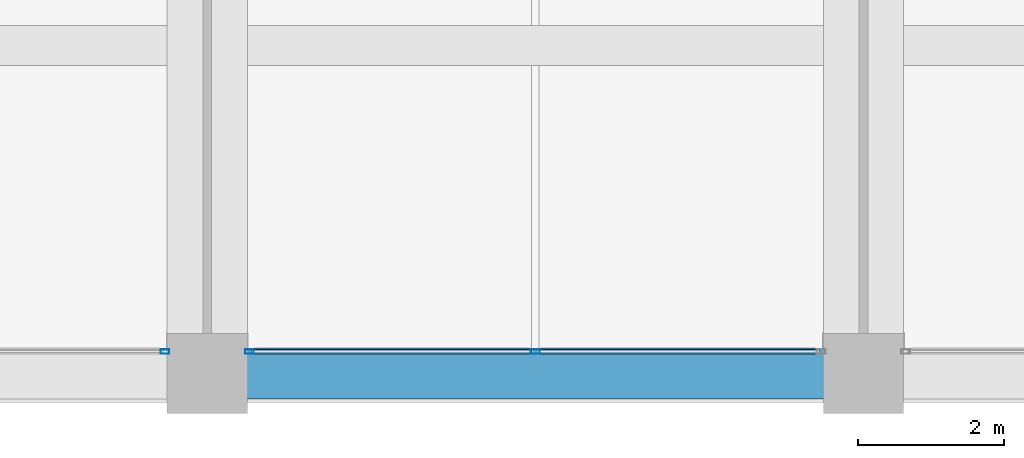
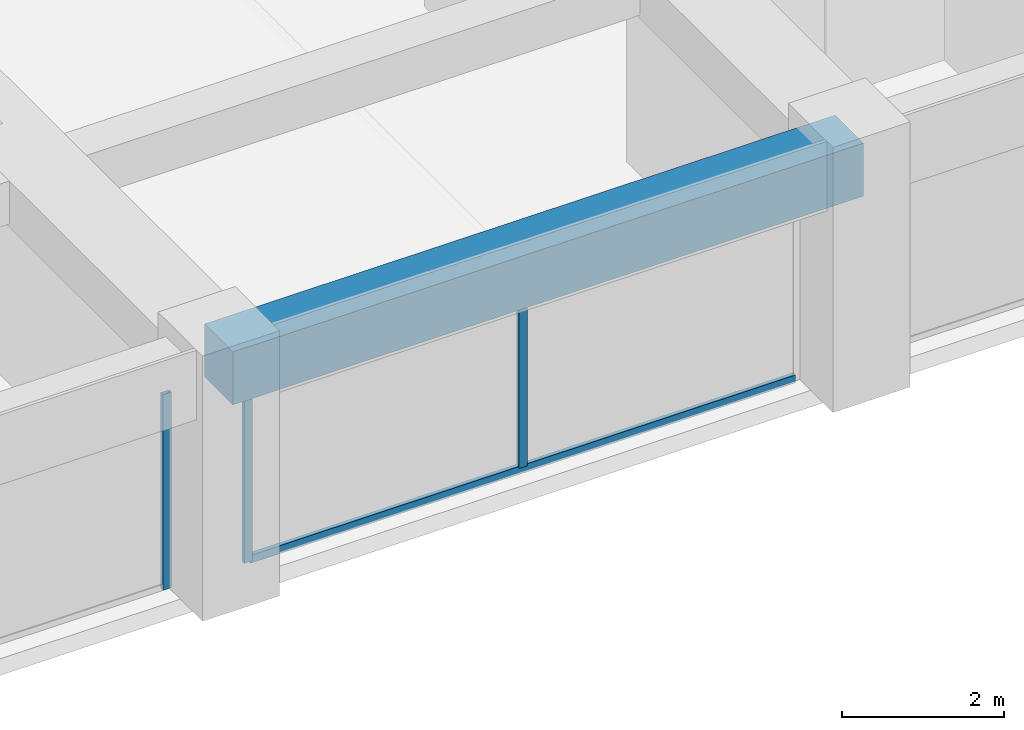
# One storey, part 9 of 44: 4 members, 1 beam, 2 elements without a shape of their own.
"""IFC4 building model written with IfcOpenShell, lengths in metres."""

from ifc_helpers import new_model, si_unit, direction, frame, origin, origin_2d, place, context, subcontext, project, spatial, rectangle, hollow_rectangle, extrude, material, material_profile, profile_set, type_object, element, aggregate, save


model = new_model("IFC4")

# Units and contexts
model_context = context("Model", 3, precision=1e-05, world=origin(), true_north=direction((0.0, 1.0)))
body_context = subcontext(model_context, "Body", "Model", "MODEL_VIEW")
ifc_project = project(units=[si_unit("LENGTHUNIT", "METRE"), si_unit("AREAUNIT", "SQUARE_METRE"), si_unit("VOLUMEUNIT", "CUBIC_METRE"), si_unit("PLANEANGLEUNIT", "RADIAN"), si_unit("MASSUNIT", "GRAM", prefix="KILO")], contexts=[model_context])

# Site, building, storey
site_placement = place(None, origin())
site = spatial("IfcSite", under=ifc_project, at=site_placement, CompositionType="ELEMENT")
building_placement = place(site_placement, origin())
building = spatial("IfcBuilding", under=site, at=building_placement, Name="Zorevar Civic Tower", CompositionType="ELEMENT")
storey_placement = place(building_placement, frame((0.0, 0.0, 259.39990234375)))
storey = spatial("IfcBuildingStorey", under=building, at=storey_placement, Name="L63", CompositionType="ELEMENT", Elevation=259.39990234375)

# Curtain wall, member
ifc_material_1 = material(Name="Dark grey solar-control glass in black aluminium frame", Category="aluminium")
curtain_wall_type = type_object("IfcCurtainWallType", Name="Curtain wall CW5 top zone", PredefinedType="NOTDEFINED", material=ifc_material_1)
curtain_wall_1_placement = place(storey_placement, origin())
curtain_wall_1 = element("IfcCurtainWall", 1, at=curtain_wall_1_placement, inside=storey, type_object=curtain_wall_type, Name="CW5 L63", PredefinedType="NOTDEFINED")
ifc_material_2 = material(Name="Aluminium, black anodised", Category="aluminium")
ifc_material_profile_1 = material_profile(ifc_material_2, hollow_rectangle(XDim=0.06005859375, YDim=0.1201171875, WallThickness=0.0029296875, at=origin_2d()), Name="AL 120x60x3")
ifc_profile_set_1 = profile_set([ifc_material_profile_1], Name="Aluminium, black anodised")
member_type_1 = type_object("IfcMemberType", Name="CW5 mullion AL 120x60x3", PredefinedType="MULLION", material=ifc_profile_set_1)
member_1_placement = place(storey_placement, frame((26.419921875, 0.300048828125, 0.0), z_axis=(0.0, 0.0, 1.0), x_axis=(0.0, 1.0, 0.0)))
member_1 = element("IfcMember", 2, at=member_1_placement, type_object=member_type_1, Name="CW5 mullion 3", PredefinedType="MULLION", context=body_context, shape_type="SweptSolid", body=[
    extrude(hollow_rectangle(XDim=0.06005859375, YDim=0.1201171875, WallThickness=0.0029296875, at=origin_2d()), origin(), (0.0, 0.0, 1.0), 2.9501953125),
])
aggregate(curtain_wall_1, [member_1])

# Curtain wall, members
curtain_wall_2_placement = place(storey_placement, origin())
curtain_wall_2 = element("IfcCurtainWall", 3, at=curtain_wall_2_placement, inside=storey, type_object=curtain_wall_type, Name="CW5 L63", PredefinedType="NOTDEFINED")
member_2_placement = place(storey_placement, frame((27.580078125, 0.300048828125, 0.0), z_axis=(0.0, 0.0, 1.0), x_axis=(0.0, 1.0, 0.0)))
member_2 = element("IfcMember", 4, at=member_2_placement, type_object=member_type_1, Name="CW5 mullion 1", PredefinedType="MULLION", context=body_context, shape_type="SweptSolid", body=[
    extrude(hollow_rectangle(XDim=0.06005859375, YDim=0.1201171875, WallThickness=0.0029296875, at=origin_2d()), origin(), (0.0, 0.0, 1.0), 2.9501953125),
])
member_3_placement = place(storey_placement, frame((31.5, 0.300048828125, 0.06005859375), z_axis=(0.0, 0.0, 1.0), x_axis=(0.0, 1.0, 0.0)))
member_3 = element("IfcMember", 5, at=member_3_placement, type_object=member_type_1, Name="CW5 mullion 2", PredefinedType="MULLION", context=body_context, shape_type="SweptSolid", body=[
    extrude(hollow_rectangle(XDim=0.06005859375, YDim=0.1201171875, WallThickness=0.0029296875, at=origin_2d()), origin(), (0.0, 0.0, 1.0), 2.89013671875),
])
ifc_material_3 = material(Name="Aluminium, black anodised", Category="aluminium")
ifc_material_profile_2 = material_profile(ifc_material_3, hollow_rectangle(XDim=0.06005859375, YDim=0.1201171875, WallThickness=0.0029296875, at=origin_2d()), Name="AL 120x60x3")
ifc_profile_set_2 = profile_set([ifc_material_profile_2], Name="Aluminium, black anodised")
member_type_2 = type_object("IfcMemberType", Name="CW5 transom AL 120x60x3", PredefinedType="USERDEFINED", material=ifc_profile_set_2)
member_4_placement = place(storey_placement, frame((27.610107421875, 0.300048828125, 0.030029296875), z_axis=(1.0, 0.0, 0.0), x_axis=(0.0, 1.0, 0.0)))
member_4 = element("IfcMember", 6, at=member_4_placement, type_object=member_type_2, Name="CW5 sill transom", ObjectType="TRANSOM", PredefinedType="USERDEFINED", context=body_context, shape_type="SweptSolid", body=[
    extrude(hollow_rectangle(XDim=0.06005859375, YDim=0.1201171875, WallThickness=0.0029296875, at=origin_2d()), origin(), (0.0, 0.0, 1.0), 7.77978515625),
])
aggregate(curtain_wall_2, [member_2, member_3, member_4])

# Beam
ifc_material_4 = material(Name="Concrete C50/60", Category="concrete")
ifc_material_profile_3 = material_profile(ifc_material_4, rectangle(XDim=0.699951171875, YDim=0.800048828125, at=origin_2d()), Name="RC 700x800")
ifc_profile_set_3 = profile_set([ifc_material_profile_3], Name="Concrete C50/60")
beam_type = type_object("IfcBeamType", Name="Edge beam RC 700x800", PredefinedType="SPANDREL", material=ifc_profile_set_3)
beam_placement = place(storey_placement, frame((27.0, 0.0, 3.35009765625), z_axis=(1.0, 0.0, 0.0), x_axis=(0.0, 1.0, 0.0)))
element("IfcBeam", 7, at=beam_placement, inside=storey, type_object=beam_type, Name="Edge beam L64", PredefinedType="SPANDREL", context=body_context, shape_type="SweptSolid", body=[
    extrude(rectangle(XDim=0.699951171875, YDim=0.800048828125, at=origin_2d()), origin(), (0.0, 0.0, 1.0), 9.0),
])

save(model, "model.ifc")
